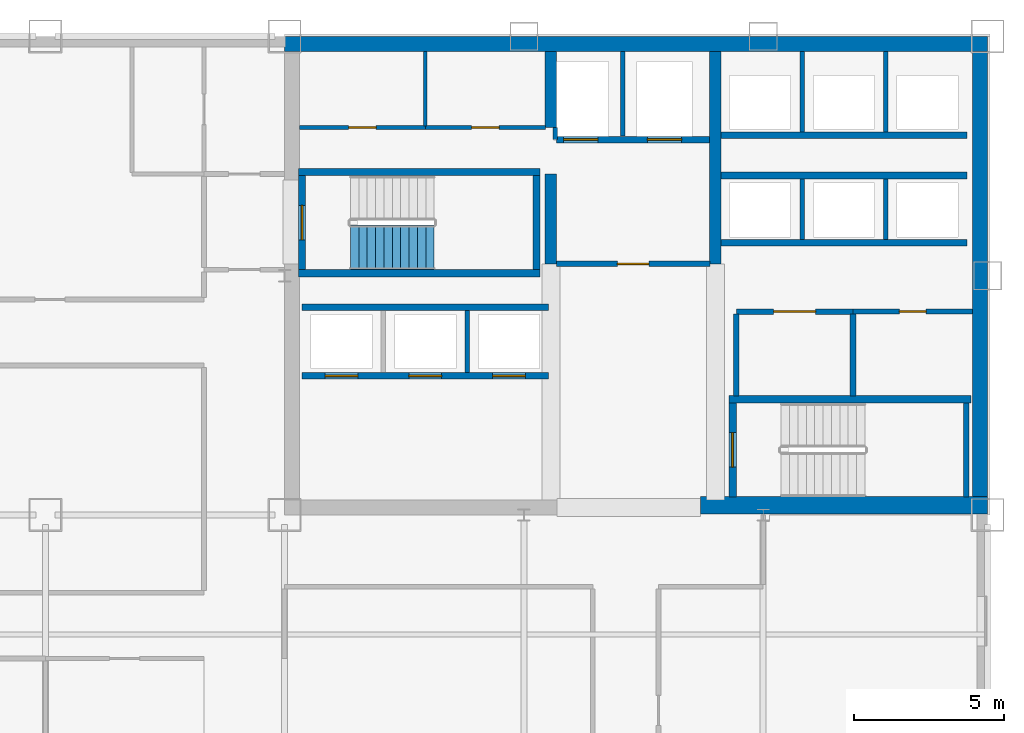
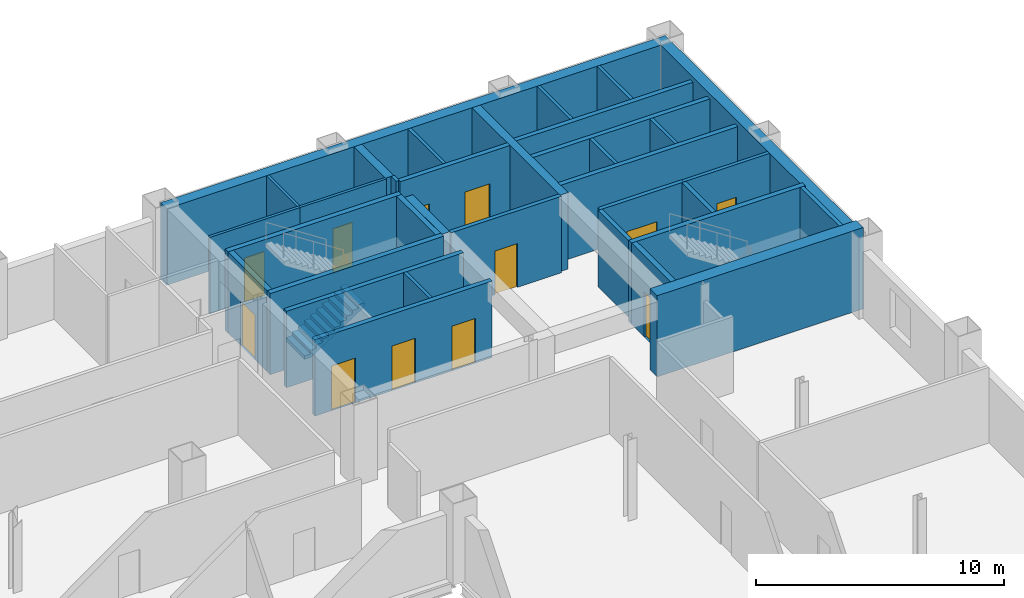
# One storey, part 7 of 10: 34 walls, 12 doors, 1 stair flight, 12 openings, 1 element without a shape of its own.
"""IFC4 building model written with IfcOpenShell, lengths in metres."""

from ifc_helpers import new_model, si_unit, direction, frame, frame_2d, origin, place, context, subcontext, project, spatial, polyline, rectangle, outline, extrude, material, layer, layer_set, type_object, element, fill, aggregate, save


model = new_model("IFC4")

# Units and contexts
model_context = context("Model", 3, precision=1e-05, world=origin(), true_north=direction((0.0, 1.0)))
body_context = subcontext(model_context, "Body", "Model", "MODEL_VIEW")
ifc_project = project(units=[si_unit("LENGTHUNIT", "METRE"), si_unit("AREAUNIT", "SQUARE_METRE"), si_unit("VOLUMEUNIT", "CUBIC_METRE"), si_unit("PLANEANGLEUNIT", "RADIAN"), si_unit("MASSUNIT", "GRAM", prefix="KILO")], contexts=[model_context])

# Site, building, storey
site_placement = place(None, origin())
site = spatial("IfcSite", under=ifc_project, at=site_placement, CompositionType="ELEMENT")
building_placement = place(site_placement, origin())
building = spatial("IfcBuilding", under=site, at=building_placement, Name="Qianrong Seaharbour Tower", CompositionType="ELEMENT")
storey_placement = place(building_placement, frame((0.0, 0.0, 167.0)))
storey = spatial("IfcBuildingStorey", under=building, at=storey_placement, Name="L40", CompositionType="ELEMENT", Elevation=167.0)

# Walls
ifc_material_1 = material(Name="Concrete C60/75", Category="concrete")
ifc_layer_1 = layer(ifc_material_1, 0.5)
ifc_layer_set_1 = layer_set([ifc_layer_1], Name="Concrete C60/75")
wall_type_1 = type_object("IfcWallType", Name="WALL-CORE-500", PredefinedType="SHEAR", material=ifc_layer_set_1)
wall_1_placement = place(storey_placement, frame((40.5, 51.75, 0.0), z_axis=(0.0, 0.0, 1.0), x_axis=(1.0, 0.0, 0.0)))
element("IfcWall", 1, at=wall_1_placement, inside=storey, type_object=wall_type_1, Name="L40 North Core Shear Wall", PredefinedType="SHEAR", context=body_context, shape_type="SweptSolid", body=[
    extrude(rectangle(XDim=23.5, YDim=0.5, at=frame_2d((11.75, 0.0))), origin(), (0.0, 0.0, 1.0), 3.764892578125),
])
wall_2_placement = place(storey_placement, frame((63.75, 36.320068359375, 0.0), z_axis=(0.0, 0.0, 1.0), x_axis=(0.0, 1.0, 0.0)))
element("IfcWall", 2, at=wall_2_placement, inside=storey, type_object=wall_type_1, Name="L40 East Core Shear Wall", PredefinedType="SHEAR", context=body_context, shape_type="SweptSolid", body=[
    extrude(rectangle(XDim=15.179931640625, YDim=0.5, at=frame_2d((7.58984375, 0.0))), origin(), (0.0, 0.0, 1.0), 3.764892578125),
])
ifc_material_2 = material(Name="Concrete C70/85", Category="concrete")
ifc_layer_2 = layer(ifc_material_2, 0.580078125)
ifc_layer_set_2 = layer_set([ifc_layer_2], Name="Concrete C70/85")
wall_type_2 = type_object("IfcWallType", Name="WALL-CORE-580", PredefinedType="SHEAR", material=ifc_layer_set_2)
wall_3_placement = place(storey_placement, frame((54.39990234375, 36.320068359375, 0.0), z_axis=(0.0, 0.0, 1.0), x_axis=(1.0, 0.0, 0.0)))
element("IfcWall", 3, at=wall_3_placement, inside=storey, type_object=wall_type_2, Name="L40 South Core Shear Wall S3", PredefinedType="SHEAR", context=body_context, shape_type="SweptSolid", body=[
    extrude(rectangle(XDim=9.60009765625, YDim=0.580078125, at=frame_2d((4.800048828125, 0.0))), origin(), (0.0, 0.0, 1.0), 4.0),
])
ifc_layer_3 = layer(ifc_material_1, 0.3798828125)
ifc_layer_set_3 = layer_set([ifc_layer_3], Name="Concrete C60/75")
wall_type_3 = type_object("IfcWallType", Name="WALL-CORE-INT-380", PredefinedType="SHEAR", material=ifc_layer_set_3)
wall_4_placement = place(storey_placement, frame((49.39990234375, 44.39990234375, 0.0), z_axis=(0.0, 0.0, 1.0), x_axis=(0.0, 1.0, 0.0)))
element("IfcWall", 4, at=wall_4_placement, inside=storey, type_object=wall_type_3, Name="L40 Internal Core Shear Wall IW1N1", PredefinedType="SHEAR", context=body_context, shape_type="SweptSolid", body=[
    extrude(rectangle(XDim=3.0, YDim=0.3798828125, at=frame_2d((1.5, 0.0))), origin(), (0.0, 0.0, 1.0), 3.764892578125),
])
wall_5_placement = place(storey_placement, frame((49.39990234375, 48.949951171875, 0.0), z_axis=(0.0, 0.0, 1.0), x_axis=(0.0, 1.0, 0.0)))
element("IfcWall", 5, at=wall_5_placement, inside=storey, type_object=wall_type_3, Name="L40 Internal Core Shear Wall IW1N2", PredefinedType="SHEAR", context=body_context, shape_type="SweptSolid", body=[
    extrude(rectangle(XDim=2.550048828125, YDim=0.3798828125, at=frame_2d((1.27490234375, 0.0))), origin(), (0.0, 0.0, 1.0), 3.764892578125),
])
wall_6_placement = place(storey_placement, frame((54.89990234375, 44.39990234375, 0.0), z_axis=(0.0, 0.0, 1.0), x_axis=(0.0, 1.0, 0.0)))
element("IfcWall", 6, at=wall_6_placement, inside=storey, type_object=wall_type_3, Name="L40 Internal Core Shear Wall IW2N", PredefinedType="SHEAR", context=body_context, shape_type="SweptSolid", body=[
    extrude(rectangle(XDim=7.10009765625, YDim=0.3798828125, at=frame_2d((3.550048828125, 0.0))), origin(), (0.0, 0.0, 1.0), 3.764892578125),
])

# Wall, opening, door
ifc_material_3 = material(Name="Fire-rated acoustic gypsum board partition")
ifc_layer_4 = layer(ifc_material_3, 0.1650390625)
ifc_layer_set_4 = layer_set([ifc_layer_4], Name="Fire-rated acoustic gypsum board partition")
wall_type_4 = type_object("IfcWallType", Name="WALL-CORR-PART-165", PredefinedType="PARTITIONING", material=ifc_layer_set_4)
wall_7_placement = place(storey_placement, frame((63.5, 42.800048828125, 0.0), z_axis=(0.0, 0.0, 1.0), x_axis=(-1.0, 0.0, 0.0)))
wall_7 = element("IfcWall", 7, at=wall_7_placement, inside=storey, type_object=wall_type_4, Name="L40 Interior Partition Wall 012", PredefinedType="PARTITIONING", context=body_context, shape_type="SweptSolid", body=[
    extrude(rectangle(XDim=4.0, YDim=0.1650390625, at=frame_2d((2.0, 0.0))), origin(), (0.0, 0.0, 1.0), 3.764892578125),
])
opening_1_placement = place(wall_7_placement, frame((1.550048828125, 0.0, 0.0)))
opening_1 = element("IfcOpeningElement", 8, at=opening_1_placement, cuts=wall_7, Name="Opening DS-01", PredefinedType="OPENING", context=body_context, shape_type="SweptSolid", body=[
    extrude(rectangle(XDim=0.89990234375, YDim=2.14990234375, at=frame_2d((0.449951171875, 1.074951171875))), frame((0.0, 0.092529296875, 0.0), z_axis=(0.0, -1.0, 0.0), x_axis=(1.0, 0.0, 0.0)), (0.0, 0.0, 1.0), 0.18505859375),
])
ifc_material_4 = material(Name="Acoustic timber and galvanized steel fire door assembly", Category="steel")
door_type_1 = type_object("IfcDoorType", Name="DOOR-STORE-900x2150", OperationType="NOTDEFINED", PredefinedType="DOOR", material=ifc_material_4)
door_1_placement = place(opening_1_placement, origin())
door_1 = element("IfcDoor", 9, at=door_1_placement, inside=storey, type_object=door_type_1, Name="L40 Cleaner Store Room Door", OperationType="SINGLE_SWING_LEFT", OverallHeight=2.14990234375, OverallWidth=0.89990234375, PredefinedType="DOOR", context=body_context, shape_type="SweptSolid", body=[
    extrude(rectangle(XDim=0.89990234375, YDim=2.14990234375, at=frame_2d((0.449951171875, 1.074951171875))), frame((0.0, 0.02490234375, 0.0), z_axis=(0.0, -1.0, 0.0), x_axis=(1.0, 0.0, 0.0)), (0.0, 0.0, 1.0), 0.050048828125),
])
fill(opening_1, door_1)

ifc_material_5 = material(Name="Double fire-rated gypsum board acoustic partition")
ifc_layer_5 = layer(ifc_material_5, 0.18994140625)
ifc_layer_set_5 = layer_set([ifc_layer_5], Name="Double fire-rated gypsum board acoustic partition")
wall_type_5 = type_object("IfcWallType", Name="WALL-FIRE-PART-190", PredefinedType="PARTITIONING", material=ifc_layer_set_5)
wall_8_placement = place(storey_placement, frame((54.718017578125, 44.39990234375, 0.0), z_axis=(0.0, 0.0, 1.0), x_axis=(-1.0, 0.0, 0.0)))
wall_8 = element("IfcWall", 10, at=wall_8_placement, inside=storey, type_object=wall_type_5, Name="L40 Interior Partition Wall 009", PredefinedType="PARTITIONING", context=body_context, shape_type="SweptSolid", body=[
    extrude(rectangle(XDim=5.135986328125, YDim=0.18994140625, at=frame_2d((2.56787109375, 0.0))), origin(), (0.0, 0.0, 1.0), 3.764892578125),
])
opening_2_placement = place(wall_8_placement, frame((2.04296875, 0.0, 0.0)))
opening_2 = element("IfcOpeningElement", 11, at=opening_2_placement, cuts=wall_8, Name="Opening DC-01", PredefinedType="OPENING", context=body_context, shape_type="SweptSolid", body=[
    extrude(rectangle(XDim=1.050048828125, YDim=2.14990234375, at=frame_2d((0.52490234375, 1.074951171875))), frame((0.0, 0.10498046875, 0.0), z_axis=(0.0, -1.0, 0.0), x_axis=(1.0, 0.0, 0.0)), (0.0, 0.0, 1.0), 0.2099609375),
])
door_type_2 = type_object("IfcDoorType", Name="DOOR-CORR-FD60-1050x2150", OperationType="NOTDEFINED", PredefinedType="DOOR", material=ifc_material_4)
door_2_placement = place(opening_2_placement, origin())
door_2 = element("IfcDoor", 12, at=door_2_placement, inside=storey, type_object=door_type_2, Name="L40 Firefighting Lift Lobby Door", OperationType="SINGLE_SWING_RIGHT", OverallHeight=2.14990234375, OverallWidth=1.050048828125, PredefinedType="DOOR", context=body_context, shape_type="SweptSolid", body=[
    extrude(rectangle(XDim=1.050048828125, YDim=2.14990234375, at=frame_2d((0.52490234375, 1.074951171875))), frame((0.0, 0.02490234375, 0.0), z_axis=(0.0, -1.0, 0.0), x_axis=(1.0, 0.0, 0.0)), (0.0, 0.0, 1.0), 0.050048828125),
])
fill(opening_2, door_2)

# Wall
wall_9_placement = place(storey_placement, frame((55.60009765625, 42.712890625, 0.0), z_axis=(0.0, 0.0, 1.0), x_axis=(0.0, -1.0, 0.0)))
element("IfcWall", 13, at=wall_9_placement, inside=storey, type_object=wall_type_5, Name="L40 Interior Partition Wall 010", PredefinedType="PARTITIONING", context=body_context, shape_type="SweptSolid", body=[
    extrude(rectangle(XDim=2.73095703125, YDim=0.18994140625, at=frame_2d((1.365478515625, 0.0))), origin(), (0.0, 0.0, 1.0), 3.764892578125),
])

# Wall, opening, door
wall_10_placement = place(storey_placement, frame((59.5, 42.800048828125, 0.0), z_axis=(0.0, 0.0, 1.0), x_axis=(-1.0, 0.0, 0.0)))
wall_10 = element("IfcWall", 14, at=wall_10_placement, inside=storey, type_object=wall_type_5, Name="L40 Interior Partition Wall 011", PredefinedType="PARTITIONING", context=body_context, shape_type="SweptSolid", body=[
    extrude(rectangle(XDim=3.89990234375, YDim=0.18994140625, at=frame_2d((1.949951171875, 0.0))), origin(), (0.0, 0.0, 1.0), 3.764892578125),
])
opening_3_placement = place(wall_10_placement, frame((1.25, 0.0, 0.0)))
opening_3 = element("IfcOpeningElement", 15, at=opening_3_placement, cuts=wall_10, Name="Opening DP-01", PredefinedType="OPENING", context=body_context, shape_type="SweptSolid", body=[
    extrude(rectangle(XDim=1.39990234375, YDim=2.25, at=frame_2d((0.699951171875, 1.125))), frame((0.0, 0.10498046875, 0.0), z_axis=(0.0, -1.0, 0.0), x_axis=(1.0, 0.0, 0.0)), (0.0, 0.0, 1.0), 0.2099609375),
])
door_type_3 = type_object("IfcDoorType", Name="DOOR-PLANT-PAIR-1400x2250", OperationType="DOUBLE_DOOR_SINGLE_SWING", PredefinedType="DOOR", material=ifc_material_4)
door_3_placement = place(opening_3_placement, origin())
door_3 = element("IfcDoor", 16, at=door_3_placement, inside=storey, type_object=door_type_3, Name="L40 Electrical Substation Door", OperationType="DOUBLE_DOOR_SINGLE_SWING", OverallHeight=2.25, OverallWidth=1.39990234375, PredefinedType="DOOR", context=body_context, shape_type="SweptSolid", body=[
    extrude(rectangle(XDim=1.39990234375, YDim=2.25, at=frame_2d((0.699951171875, 1.125))), frame((0.0, 0.02490234375, 0.0), z_axis=(0.0, -1.0, 0.0), x_axis=(1.0, 0.0, 0.0)), (0.0, 0.0, 1.0), 0.050048828125),
])
fill(opening_3, door_3)

# Walls
wall_11_placement = place(storey_placement, frame((59.5, 42.712890625, 0.0), z_axis=(0.0, 0.0, 1.0), x_axis=(0.0, -1.0, 0.0)))
element("IfcWall", 17, at=wall_11_placement, inside=storey, type_object=wall_type_5, Name="L40 Interior Partition Wall 014", PredefinedType="PARTITIONING", context=body_context, shape_type="SweptSolid", body=[
    extrude(rectangle(XDim=2.73095703125, YDim=0.18994140625, at=frame_2d((1.365478515625, 0.0))), origin(), (0.0, 0.0, 1.0), 3.764892578125),
])
ifc_material_6 = material(Name="Fire-rated gypsum board on steel studs", Category="steel")
ifc_layer_6 = layer(ifc_material_6, 0.14990234375)
ifc_layer_set_6 = layer_set([ifc_layer_6], Name="Fire-rated gypsum board on steel studs")
wall_type_6 = type_object("IfcWallType", Name="WALL-SHAFT-DIV-150", PredefinedType="PARTITIONING", material=ifc_layer_set_6)
wall_12_placement = place(storey_placement, frame((51.800048828125, 48.669921875, 0.0), z_axis=(0.0, 0.0, 1.0), x_axis=(0.0, 1.0, 0.0)))
element("IfcWall", 18, at=wall_12_placement, inside=storey, type_object=wall_type_6, Name="L40 Firefighting Lift Shaft Divider Wall", PredefinedType="PARTITIONING", context=body_context, shape_type="SweptSolid", body=[
    extrude(rectangle(XDim=2.830078125, YDim=0.14990234375, at=frame_2d((1.4150390625, 0.0))), origin(), (0.0, 0.0, 1.0), 3.764892578125),
])
wall_13_placement = place(storey_placement, frame((49.550048828125, 48.550048828125, 0.0), z_axis=(0.0, 0.0, 1.0), x_axis=(0.0, 1.0, 0.0)))
element("IfcWall", 19, at=wall_13_placement, inside=storey, type_object=wall_type_6, Name="L40 Firefighting Lift Shaft West Return Wall", PredefinedType="PARTITIONING", context=body_context, shape_type="SweptSolid", body=[
    extrude(rectangle(XDim=0.39990234375, YDim=0.14990234375, at=frame_2d((0.199951171875, 0.0))), origin(), (0.0, 0.0, 1.0), 3.764892578125),
])
wall_14_placement = place(storey_placement, frame((46.60009765625, 40.760009765625, 0.0), z_axis=(0.0, 0.0, 1.0), x_axis=(0.0, 1.0, 0.0)))
element("IfcWall", 20, at=wall_14_placement, inside=storey, type_object=wall_type_6, Name="L40 P2 Lift Hoistway Divider 3", PredefinedType="PARTITIONING", context=body_context, shape_type="SweptSolid", body=[
    extrude(rectangle(XDim=2.080078125, YDim=0.14990234375, at=frame_2d((1.0400390625, 0.0))), origin(), (0.0, 0.0, 1.0), 3.764892578125),
])
for number, where, z_axis, x_axis, name in (
    (21, (57.800048828125, 45.2099609375, 0.0), (0.0, 0.0, 1.0), (0.0, 1.0, 0.0), "L40 P3 Lift Hoistway Divider 2"),
    (22, (60.60009765625, 45.2099609375, 0.0), (0.0, 0.0, 1.0), (0.0, 1.0, 0.0), "L40 P3 Lift Hoistway Divider 3"),
):
    element("IfcWall", number, at=place(storey_placement, frame(where, z_axis=z_axis, x_axis=x_axis)), inside=storey, type_object=wall_type_6, Name=name, PredefinedType="PARTITIONING", context=body_context, shape_type="SweptSolid", body=[
        extrude(rectangle(XDim=2.030029296875, YDim=0.14990234375, at=frame_2d((1.01513671875, 0.0))), origin(), (0.0, 0.0, 1.0), 3.764892578125),
    ])
for number, where, z_axis, x_axis, name in (
    (23, (57.800048828125, 48.81005859375, 0.0), (0.0, 0.0, 1.0), (0.0, 1.0, 0.0), "L40 P4 Lift Hoistway Divider 2"),
    (24, (60.60009765625, 48.81005859375, 0.0), (0.0, 0.0, 1.0), (0.0, 1.0, 0.0), "L40 P4 Lift Hoistway Divider 3"),
):
    element("IfcWall", number, at=place(storey_placement, frame(where, z_axis=z_axis, x_axis=x_axis)), inside=storey, type_object=wall_type_6, Name=name, PredefinedType="PARTITIONING", context=body_context, shape_type="SweptSolid", body=[
        extrude(rectangle(XDim=2.68994140625, YDim=0.14990234375, at=frame_2d((1.344970703125, 0.0))), origin(), (0.0, 0.0, 1.0), 3.764892578125),
    ])

# Wall, openings, doors
ifc_layer_7 = layer(ifc_material_6, 0.219970703125)
ifc_layer_set_7 = layer_set([ifc_layer_7], Name="Fire-rated gypsum board on steel studs")
wall_type_7 = type_object("IfcWallType", Name="WALL-SHAFT-GYP220", PredefinedType="PARTITIONING", material=ifc_layer_set_7)
wall_15_placement = place(storey_placement, frame((54.7099609375, 48.550048828125, 0.0), z_axis=(0.0, 0.0, 1.0), x_axis=(-1.0, 0.0, 0.0)))
wall_15 = element("IfcWall", 25, at=wall_15_placement, inside=storey, type_object=wall_type_7, Name="L40 Firefighting Lift Shaft Front Wall", PredefinedType="PARTITIONING", context=body_context, shape_type="SweptSolid", body=[
    extrude(rectangle(XDim=5.119873046875, YDim=0.219970703125, at=frame_2d((2.56005859375, 0.0))), origin(), (0.0, 0.0, 1.0), 3.764892578125),
])
opening_4_placement = place(wall_15_placement, frame((3.735107421875, 0.0, 0.0)))
opening_4 = element("IfcOpeningElement", 26, at=opening_4_placement, cuts=wall_15, Name="Opening LD-01", PredefinedType="OPENING", context=body_context, shape_type="SweptSolid", body=[
    extrude(rectangle(XDim=1.14990234375, YDim=2.199951171875, at=frame_2d((0.574951171875, 1.10009765625))), frame((0.0, 0.1201171875, 0.0), z_axis=(0.0, -1.0, 0.0), x_axis=(1.0, 0.0, 0.0)), (0.0, 0.0, 1.0), 0.239990234375),
])
opening_5_placement = place(wall_15_placement, frame((0.93505859375, 0.0, 0.0)))
opening_5 = element("IfcOpeningElement", 27, at=opening_5_placement, cuts=wall_15, Name="Opening LD-01", PredefinedType="OPENING", context=body_context, shape_type="SweptSolid", body=[
    extrude(rectangle(XDim=1.14990234375, YDim=2.199951171875, at=frame_2d((0.574951171875, 1.10009765625))), frame((0.0, 0.1201171875, 0.0), z_axis=(0.0, -1.0, 0.0), x_axis=(1.0, 0.0, 0.0)), (0.0, 0.0, 1.0), 0.239990234375),
])
ifc_material_7 = material(Name="Stainless steel SUS316L bi-parting lift landing door", Category="steel")
door_type_4 = type_object("IfcDoorType", Name="DOOR-LIFT-FF-1150x2200", OperationType="DOUBLE_DOOR_SLIDING", PredefinedType="DOOR", material=ifc_material_7)
door_4_placement = place(opening_4_placement, origin())
door_4 = element("IfcDoor", 28, at=door_4_placement, inside=storey, type_object=door_type_4, Name="L40 FL-1 Firefighting Lift Landing Door", OperationType="DOUBLE_DOOR_SLIDING", OverallHeight=2.199951171875, OverallWidth=1.14990234375, PredefinedType="DOOR", context=body_context, shape_type="SweptSolid", body=[
    extrude(rectangle(XDim=1.14990234375, YDim=2.199951171875, at=frame_2d((0.574951171875, 1.10009765625))), frame((0.0, 0.02490234375, 0.0), z_axis=(0.0, -1.0, 0.0), x_axis=(1.0, 0.0, 0.0)), (0.0, 0.0, 1.0), 0.050048828125),
])
fill(opening_4, door_4)
door_5_placement = place(opening_5_placement, origin())
door_5 = element("IfcDoor", 29, at=door_5_placement, inside=storey, type_object=door_type_4, Name="L40 FL-2 Firefighting Lift Landing Door", OperationType="DOUBLE_DOOR_SLIDING", OverallHeight=2.199951171875, OverallWidth=1.14990234375, PredefinedType="DOOR", context=body_context, shape_type="SweptSolid", body=[
    extrude(rectangle(XDim=1.14990234375, YDim=2.199951171875, at=frame_2d((0.574951171875, 1.10009765625))), frame((0.0, 0.02490234375, 0.0), z_axis=(0.0, -1.0, 0.0), x_axis=(1.0, 0.0, 0.0)), (0.0, 0.0, 1.0), 0.050048828125),
])
fill(opening_5, door_5)

wall_16_placement = place(storey_placement, frame((49.320068359375, 40.64990234375, 0.0), z_axis=(0.0, 0.0, 1.0), x_axis=(-1.0, 0.0, 0.0)))
wall_16 = element("IfcWall", 30, at=wall_16_placement, inside=storey, type_object=wall_type_7, Name="L40 P2 Lift Hoistway Front Wall", PredefinedType="PARTITIONING", context=body_context, shape_type="SweptSolid", body=[
    extrude(rectangle(XDim=8.239990234375, YDim=0.219970703125, at=frame_2d((4.1201171875, 0.0))), origin(), (0.0, 0.0, 1.0), 3.764892578125),
])
opening_6_placement = place(wall_16_placement, frame((6.3701171875, 0.0, 0.0)))
opening_6 = element("IfcOpeningElement", 31, at=opening_6_placement, cuts=wall_16, Name="Opening LD-02", PredefinedType="OPENING", context=body_context, shape_type="SweptSolid", body=[
    extrude(rectangle(XDim=1.10009765625, YDim=2.199951171875, at=frame_2d((0.550048828125, 1.10009765625))), frame((0.0, 0.1201171875, 0.0), z_axis=(0.0, -1.0, 0.0), x_axis=(1.0, 0.0, 0.0)), (0.0, 0.0, 1.0), 0.239990234375),
])
opening_7_placement = place(wall_16_placement, frame((3.570068359375, 0.0, 0.0)))
opening_7 = element("IfcOpeningElement", 32, at=opening_7_placement, cuts=wall_16, Name="Opening LD-02", PredefinedType="OPENING", context=body_context, shape_type="SweptSolid", body=[
    extrude(rectangle(XDim=1.10009765625, YDim=2.199951171875, at=frame_2d((0.550048828125, 1.10009765625))), frame((0.0, 0.1201171875, 0.0), z_axis=(0.0, -1.0, 0.0), x_axis=(1.0, 0.0, 0.0)), (0.0, 0.0, 1.0), 0.239990234375),
])
opening_8_placement = place(wall_16_placement, frame((0.77001953125, 0.0, 0.0)))
opening_8 = element("IfcOpeningElement", 33, at=opening_8_placement, cuts=wall_16, Name="Opening LD-02", PredefinedType="OPENING", context=body_context, shape_type="SweptSolid", body=[
    extrude(rectangle(XDim=1.10009765625, YDim=2.199951171875, at=frame_2d((0.550048828125, 1.10009765625))), frame((0.0, 0.1201171875, 0.0), z_axis=(0.0, -1.0, 0.0), x_axis=(1.0, 0.0, 0.0)), (0.0, 0.0, 1.0), 0.239990234375),
])
door_type_5 = type_object("IfcDoorType", Name="DOOR-LIFT-PASS-1100x2200", OperationType="DOUBLE_DOOR_SLIDING", PredefinedType="DOOR", material=ifc_material_7)
door_6_placement = place(opening_6_placement, origin())
door_6 = element("IfcDoor", 34, at=door_6_placement, inside=storey, type_object=door_type_5, Name="L40 PL-2A Lift Landing Door", OperationType="DOUBLE_DOOR_SLIDING", OverallHeight=2.199951171875, OverallWidth=1.10009765625, PredefinedType="DOOR", context=body_context, shape_type="SweptSolid", body=[
    extrude(rectangle(XDim=1.10009765625, YDim=2.199951171875, at=frame_2d((0.550048828125, 1.10009765625))), frame((0.0, 0.02490234375, 0.0), z_axis=(0.0, -1.0, 0.0), x_axis=(1.0, 0.0, 0.0)), (0.0, 0.0, 1.0), 0.050048828125),
])
fill(opening_6, door_6)
door_7_placement = place(opening_7_placement, origin())
door_7 = element("IfcDoor", 35, at=door_7_placement, inside=storey, type_object=door_type_5, Name="L40 PL-2B Lift Landing Door", OperationType="DOUBLE_DOOR_SLIDING", OverallHeight=2.199951171875, OverallWidth=1.10009765625, PredefinedType="DOOR", context=body_context, shape_type="SweptSolid", body=[
    extrude(rectangle(XDim=1.10009765625, YDim=2.199951171875, at=frame_2d((0.550048828125, 1.10009765625))), frame((0.0, 0.02490234375, 0.0), z_axis=(0.0, -1.0, 0.0), x_axis=(1.0, 0.0, 0.0)), (0.0, 0.0, 1.0), 0.050048828125),
])
fill(opening_7, door_7)
door_8_placement = place(opening_8_placement, origin())
door_8 = element("IfcDoor", 36, at=door_8_placement, inside=storey, type_object=door_type_5, Name="L40 PL-2C Lift Landing Door", OperationType="DOUBLE_DOOR_SLIDING", OverallHeight=2.199951171875, OverallWidth=1.10009765625, PredefinedType="DOOR", context=body_context, shape_type="SweptSolid", body=[
    extrude(rectangle(XDim=1.10009765625, YDim=2.199951171875, at=frame_2d((0.550048828125, 1.10009765625))), frame((0.0, 0.02490234375, 0.0), z_axis=(0.0, -1.0, 0.0), x_axis=(1.0, 0.0, 0.0)), (0.0, 0.0, 1.0), 0.050048828125),
])
fill(opening_8, door_8)

# Walls
for number, where, z_axis, x_axis, name in (
    (37, (41.080078125, 42.949951171875, 0.0), (0.0, 0.0, 1.0), (1.0, 0.0, 0.0), "L40 P2 Lift Hoistway Back Wall"),
    (38, (63.320068359375, 45.10009765625, 0.0), (0.0, 0.0, 1.0), (-1.0, 0.0, 0.0), "L40 P3 Lift Hoistway Front Wall"),
    (39, (55.080078125, 47.35009765625, 0.0), (0.0, 0.0, 1.0), (1.0, 0.0, 0.0), "L40 P3 Lift Hoistway Back Wall"),
    (40, (63.320068359375, 48.699951171875, 0.0), (0.0, 0.0, 1.0), (-1.0, 0.0, 0.0), "L40 P4 Lift Hoistway Front Wall"),
):
    element("IfcWall", number, at=place(storey_placement, frame(where, z_axis=z_axis, x_axis=x_axis)), inside=storey, type_object=wall_type_7, Name=name, PredefinedType="PARTITIONING", context=body_context, shape_type="SweptSolid", body=[
        extrude(rectangle(XDim=8.239990234375, YDim=0.219970703125, at=frame_2d((4.1201171875, 0.0))), origin(), (0.0, 0.0, 1.0), 3.764892578125),
    ])
ifc_material_8 = material(Name="Concrete C50/60", Category="concrete")
ifc_layer_8 = layer(ifc_material_8, 0.239990234375)
ifc_layer_set_8 = layer_set([ifc_layer_8], Name="Concrete C50/60")
wall_type_8 = type_object("IfcWallType", Name="WALL-SHAFT-RC240", PredefinedType="SOLIDWALL", material=ifc_layer_set_8)
for number, where, z_axis, x_axis, name in (
    (41, (40.9599609375, 47.469970703125, 0.0), (0.0, 0.0, 1.0), (1.0, 0.0, 0.0), "L40 ST-1 Structural Stair Core Wall N"),
    (42, (49.0400390625, 44.080078125, 0.0), (0.0, 0.0, 1.0), (-1.0, 0.0, 0.0), "L40 ST-1 Structural Stair Core Wall S"),
):
    element("IfcWall", number, at=place(storey_placement, frame(where, z_axis=z_axis, x_axis=x_axis)), inside=storey, type_object=wall_type_8, Name=name, PredefinedType="SOLIDWALL", context=body_context, shape_type="SweptSolid", body=[
        extrude(rectangle(XDim=8.080078125, YDim=0.239990234375, at=frame_2d((4.0400390625, 0.0))), origin(), (0.0, 0.0, 1.0), 4.0),
    ])

# Wall, opening, door
wall_17_placement = place(storey_placement, frame((41.080078125, 47.35009765625, 0.0), z_axis=(0.0, 0.0, 1.0), x_axis=(0.0, -1.0, 0.0)))
wall_17 = element("IfcWall", 43, at=wall_17_placement, inside=storey, type_object=wall_type_8, Name="L40 ST-1 Structural Stair Core Wall W", PredefinedType="SOLIDWALL", context=body_context, shape_type="SweptSolid", body=[
    extrude(rectangle(XDim=3.150146484375, YDim=0.239990234375, at=frame_2d((1.5751953125, 0.0))), origin(), (0.0, 0.0, 1.0), 4.0),
])
opening_9_placement = place(wall_17_placement, frame((1.0, 0.0, 0.0)))
opening_9 = element("IfcOpeningElement", 44, at=opening_9_placement, cuts=wall_17, Name="Opening SD-01", PredefinedType="OPENING", context=body_context, shape_type="SweptSolid", body=[
    extrude(rectangle(XDim=1.14990234375, YDim=2.199951171875, at=frame_2d((0.574951171875, 1.10009765625))), frame((0.0, 0.1298828125, 0.0), z_axis=(0.0, -1.0, 0.0), x_axis=(1.0, 0.0, 0.0)), (0.0, 0.0, 1.0), 0.260009765625),
])
door_type_6 = type_object("IfcDoorType", Name="DOOR-STAIR-FD60-1150x2200", OperationType="NOTDEFINED", PredefinedType="DOOR", material=ifc_material_4)
door_9_placement = place(opening_9_placement, origin())
door_9 = element("IfcDoor", 45, at=door_9_placement, inside=storey, type_object=door_type_6, Name="L40 ST-1 Protected Stair Door", OperationType="SINGLE_SWING_LEFT", OverallHeight=2.199951171875, OverallWidth=1.14990234375, PredefinedType="DOOR", context=body_context, shape_type="SweptSolid", body=[
    extrude(rectangle(XDim=1.14990234375, YDim=2.199951171875, at=frame_2d((0.574951171875, 1.10009765625))), frame((0.0, 0.02490234375, 0.0), z_axis=(0.0, -1.0, 0.0), x_axis=(1.0, 0.0, 0.0)), (0.0, 0.0, 1.0), 0.050048828125),
])
fill(opening_9, door_9)

# Walls
wall_18_placement = place(storey_placement, frame((48.919921875, 44.199951171875, 0.0), z_axis=(0.0, 0.0, 1.0), x_axis=(0.0, 1.0, 0.0)))
element("IfcWall", 46, at=wall_18_placement, inside=storey, type_object=wall_type_8, Name="L40 ST-1 Structural Stair Core Wall E", PredefinedType="SOLIDWALL", context=body_context, shape_type="SweptSolid", body=[
    extrude(rectangle(XDim=3.150146484375, YDim=0.239990234375, at=frame_2d((1.5751953125, 0.0))), origin(), (0.0, 0.0, 1.0), 4.0),
])
wall_19_placement = place(storey_placement, frame((55.360107421875, 39.8701171875, 0.0), z_axis=(0.0, 0.0, 1.0), x_axis=(1.0, 0.0, 0.0)))
element("IfcWall", 47, at=wall_19_placement, inside=storey, type_object=wall_type_8, Name="L40 ST-2 Structural Stair Core Wall N", PredefinedType="SOLIDWALL", context=body_context, shape_type="SweptSolid", body=[
    extrude(rectangle(XDim=8.079833984375, YDim=0.239990234375, at=frame_2d((4.0400390625, 0.0))), origin(), (0.0, 0.0, 1.0), 4.0),
])

# Wall, opening, door
wall_20_placement = place(storey_placement, frame((55.47998046875, 39.75, 0.0), z_axis=(0.0, 0.0, 1.0), x_axis=(0.0, -1.0, 0.0)))
wall_20 = element("IfcWall", 48, at=wall_20_placement, inside=storey, type_object=wall_type_8, Name="L40 ST-2 Structural Stair Core Wall W", PredefinedType="SOLIDWALL", context=body_context, shape_type="SweptSolid", body=[
    extrude(rectangle(XDim=3.14990234375, YDim=0.239990234375, at=frame_2d((1.574951171875, 0.0))), origin(), (0.0, 0.0, 1.0), 4.0),
])
opening_10_placement = place(wall_20_placement, frame((1.0, 0.0, 0.0)))
opening_10 = element("IfcOpeningElement", 49, at=opening_10_placement, cuts=wall_20, Name="Opening SD-01", PredefinedType="OPENING", context=body_context, shape_type="SweptSolid", body=[
    extrude(rectangle(XDim=1.14990234375, YDim=2.199951171875, at=frame_2d((0.574951171875, 1.10009765625))), frame((0.0, 0.1298828125, 0.0), z_axis=(0.0, -1.0, 0.0), x_axis=(1.0, 0.0, 0.0)), (0.0, 0.0, 1.0), 0.260009765625),
])
door_10_placement = place(opening_10_placement, origin())
door_10 = element("IfcDoor", 50, at=door_10_placement, inside=storey, type_object=door_type_6, Name="L40 ST-2 Protected Stair Door", OperationType="SINGLE_SWING_LEFT", OverallHeight=2.199951171875, OverallWidth=1.14990234375, PredefinedType="DOOR", context=body_context, shape_type="SweptSolid", body=[
    extrude(rectangle(XDim=1.14990234375, YDim=2.199951171875, at=frame_2d((0.574951171875, 1.10009765625))), frame((0.0, 0.02490234375, 0.0), z_axis=(0.0, -1.0, 0.0), x_axis=(1.0, 0.0, 0.0)), (0.0, 0.0, 1.0), 0.050048828125),
])
fill(opening_10, door_10)

# Wall
wall_21_placement = place(storey_placement, frame((63.2900390625, 36.60009765625, 0.0), z_axis=(0.0, 0.0, 1.0), x_axis=(0.0, 1.0, 0.0)))
element("IfcWall", 51, at=wall_21_placement, inside=storey, type_object=wall_type_8, Name="L40 ST-2 Structural Stair Core Wall E", PredefinedType="SOLIDWALL", context=body_context, shape_type="SweptSolid", body=[
    extrude(rectangle(XDim=3.14990234375, YDim=0.179931640625, at=frame_2d((1.574951171875, 0.0))), origin(), (0.0, 0.0, 1.0), 4.0),
])

# Wall, opening, door
ifc_material_9 = material(Name="Water-resistant cement board sanitary partition")
ifc_layer_9 = layer(ifc_material_9, 0.1298828125)
ifc_layer_set_9 = layer_set([ifc_layer_9], Name="Water-resistant cement board sanitary partition")
wall_type_9 = type_object("IfcWallType", Name="WALL-WET-PART-130", PredefinedType="PARTITIONING", material=ifc_layer_set_9)
wall_22_placement = place(storey_placement, frame((41.0, 48.949951171875, 0.0), z_axis=(0.0, 0.0, 1.0), x_axis=(1.0, 0.0, 0.0)))
wall_22 = element("IfcWall", 52, at=wall_22_placement, inside=storey, type_object=wall_type_9, Name="L40 Interior Partition Wall 007", PredefinedType="PARTITIONING", context=body_context, shape_type="SweptSolid", body=[
    extrude(rectangle(XDim=4.199951171875, YDim=0.1298828125, at=frame_2d((2.10009765625, 0.0))), origin(), (0.0, 0.0, 1.0), 3.764892578125),
])
opening_11_placement = place(wall_22_placement, frame((1.639892578125, 0.0, 0.0)))
opening_11 = element("IfcOpeningElement", 53, at=opening_11_placement, cuts=wall_22, Name="Opening DW-01", PredefinedType="OPENING", context=body_context, shape_type="SweptSolid", body=[
    extrude(rectangle(XDim=0.919921875, YDim=2.14990234375, at=frame_2d((0.4599609375, 1.074951171875))), frame((0.0, 0.074951171875, 0.0), z_axis=(0.0, -1.0, 0.0), x_axis=(1.0, 0.0, 0.0)), (0.0, 0.0, 1.0), 0.14990234375),
])
door_type_7 = type_object("IfcDoorType", Name="DOOR-WC-920x2150", OperationType="NOTDEFINED", PredefinedType="DOOR", material=ifc_material_4)
door_11_placement = place(opening_11_placement, origin())
door_11 = element("IfcDoor", 54, at=door_11_placement, inside=storey, type_object=door_type_7, Name="L40 Male Restroom WC Door", OperationType="SINGLE_SWING_LEFT", OverallHeight=2.14990234375, OverallWidth=0.919921875, PredefinedType="DOOR", context=body_context, shape_type="SweptSolid", body=[
    extrude(rectangle(XDim=0.919921875, YDim=2.14990234375, at=frame_2d((0.4599609375, 1.074951171875))), frame((0.0, 0.02490234375, 0.0), z_axis=(0.0, -1.0, 0.0), x_axis=(1.0, 0.0, 0.0)), (0.0, 0.0, 1.0), 0.050048828125),
])
fill(opening_11, door_11)

wall_23_placement = place(storey_placement, frame((45.199951171875, 48.949951171875, 0.0), z_axis=(0.0, 0.0, 1.0), x_axis=(1.0, 0.0, 0.0)))
wall_23 = element("IfcWall", 55, at=wall_23_placement, inside=storey, type_object=wall_type_9, Name="L40 Interior Partition Wall 008", PredefinedType="PARTITIONING", context=body_context, shape_type="SweptSolid", body=[
    extrude(rectangle(XDim=4.01806640625, YDim=0.1298828125, at=frame_2d((2.009033203125, 0.0))), origin(), (0.0, 0.0, 1.0), 3.764892578125),
])
opening_12_placement = place(wall_23_placement, frame((1.549072265625, 0.0, 0.0)))
opening_12 = element("IfcOpeningElement", 56, at=opening_12_placement, cuts=wall_23, Name="Opening DW-01", PredefinedType="OPENING", context=body_context, shape_type="SweptSolid", body=[
    extrude(rectangle(XDim=0.919921875, YDim=2.14990234375, at=frame_2d((0.4599609375, 1.074951171875))), frame((0.0, 0.074951171875, 0.0), z_axis=(0.0, -1.0, 0.0), x_axis=(1.0, 0.0, 0.0)), (0.0, 0.0, 1.0), 0.14990234375),
])
door_12_placement = place(opening_12_placement, origin())
door_12 = element("IfcDoor", 57, at=door_12_placement, inside=storey, type_object=door_type_7, Name="L40 Female Restroom WC Door", OperationType="SINGLE_SWING_RIGHT", OverallHeight=2.14990234375, OverallWidth=0.919921875, PredefinedType="DOOR", context=body_context, shape_type="SweptSolid", body=[
    extrude(rectangle(XDim=0.919921875, YDim=2.14990234375, at=frame_2d((0.4599609375, 1.074951171875))), frame((0.0, 0.02490234375, 0.0), z_axis=(0.0, -1.0, 0.0), x_axis=(1.0, 0.0, 0.0)), (0.0, 0.0, 1.0), 0.050048828125),
])
fill(opening_12, door_12)

# Wall
wall_24_placement = place(storey_placement, frame((45.199951171875, 51.5, 0.0), z_axis=(0.0, 0.0, 1.0), x_axis=(0.0, -1.0, 0.0)))
element("IfcWall", 58, at=wall_24_placement, inside=storey, type_object=wall_type_9, Name="L40 Interior Partition Wall 013", PredefinedType="PARTITIONING", context=body_context, shape_type="SweptSolid", body=[
    extrude(rectangle(XDim=2.492919921875, YDim=0.1298828125, at=frame_2d((1.24658203125, 0.0))), origin(), (0.0, 0.0, 1.0), 3.764892578125),
])

# Stair, stair flight
stair_type = type_object("IfcStairType", Name="STAIR-DOGLEG-1500-R22", PredefinedType="HALF_TURN_STAIR", material=ifc_material_8)
stair_placement = place(storey_placement, origin())
stair = element("IfcStair", 59, at=stair_placement, inside=storey, type_object=stair_type, Name="L40 Protected Escape Stair ST-1", PredefinedType="HALF_TURN_STAIR")
stair_flight_type = type_object("IfcStairFlightType", Name="FLIGHT-STR-1500-R22", PredefinedType="STRAIGHT", material=ifc_material_8)
stair_flight_placement = place(storey_placement, frame((42.699951171875, 44.949951171875, 0.0), z_axis=(0.0, 0.0, 1.0), x_axis=(1.0, 0.0, 0.0)))
stair_flight = element("IfcStairFlight", 60, at=stair_flight_placement, type_object=stair_flight_type, Name="ST-1 flight 1", NumberOfRisers=11, NumberOfTreads=10, PredefinedType="STRAIGHT", RiserHeight=0.181818182, TreadLength=0.28, context=body_context, shape_type="SweptSolid", body=[
    extrude(outline(polyline([(0.0, 0.0), (0.0, 0.181884765625), (0.280029296875, 0.181884765625), (0.280029296875, 0.363525390625), (0.56005859375, 0.363525390625), (0.56005859375, 0.54541015625), (0.840087890625, 0.54541015625), (0.840087890625, 0.727294921875), (1.1201171875, 0.727294921875), (1.1201171875, 0.9091796875), (1.39990234375, 0.9091796875), (1.39990234375, 1.0908203125), (1.679931640625, 1.0908203125), (1.679931640625, 1.272705078125), (1.9599609375, 1.272705078125), (1.9599609375, 1.45458984375), (2.239990234375, 1.45458984375), (2.239990234375, 1.636474609375), (2.52001953125, 1.636474609375), (2.52001953125, 1.818115234375), (2.800048828125, 1.818115234375), (2.800048828125, 2.0), (2.800048828125, 1.62744140625), (0.293701171875, 0.0), (0.0, 0.0)])), frame((0.0, 0.75, 0.0), z_axis=(0.0, -1.0, 0.0), x_axis=(1.0, 0.0, 0.0)), (0.0, 0.0, 1.0), 1.5),
])
aggregate(stair, [stair_flight])

save(model, "model.ifc")
